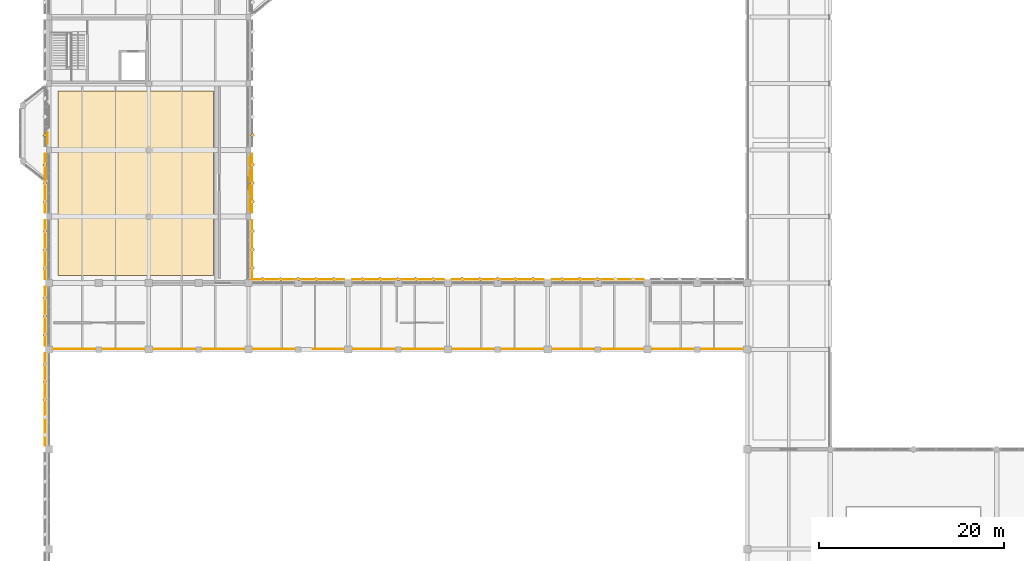
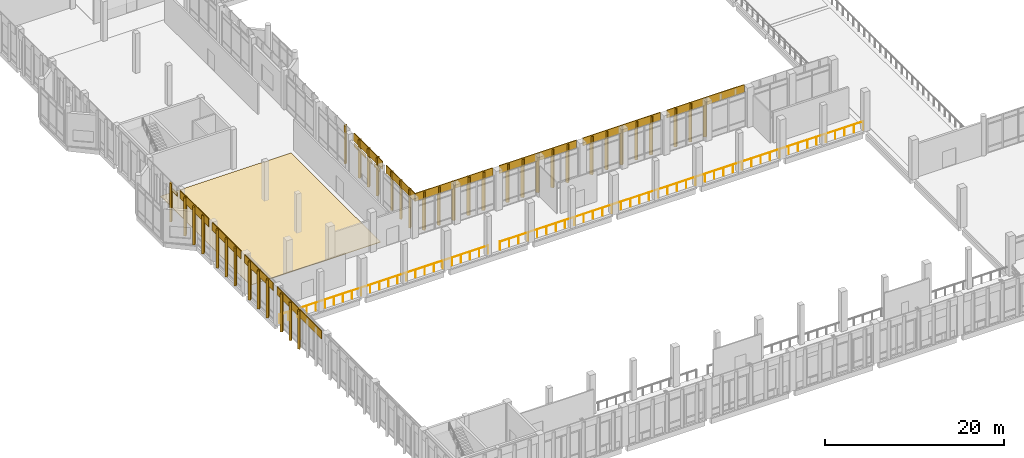
# One storey, part 166 of 180: 54 coverings, 2 railings.
"""IFC4 building model written with IfcOpenShell, lengths in metres."""

import ifcopenshell
import ifcopenshell.guid

model = None  # the IFC model being written
_history = None  # IfcOwnerHistory: only IFC2X3 demands one
_inside = {}  # id of a spatial element -> (the spatial element, [elements in it])
_under = {}  # id of a project, library or spatial element -> (it, [spatial elements below it])
_declared = {}  # id of a project -> (the project, [libraries it declares])
_typed = {}  # id of a type object -> (the type object, [elements of that type])
_made_of = {}  # id of a material, layer set ... -> (it, [elements and type objects made of it])


def new_model(schema):
    """Start an empty IFC model of exactly this schema.

    Asked for "IFC4X3", IfcOpenShell would pick the latest addendum, in which some entities
    have other attributes; the version numbers below select the first issue.
    IFC2X3 requires an IfcOwnerHistory on every rooted entity: one is made here for all.
    """
    global model, _history
    if schema == "IFC4X3":
        model = ifcopenshell.file(schema_version=(4, 3, 0, 0))
    else:
        model = ifcopenshell.file(schema=schema)
    _inside.clear()
    _under.clear()
    _declared.clear()
    _typed.clear()
    _made_of.clear()
    _history = None
    if model.schema == "IFC2X3":
        org = make("IfcOrganization", Name="unknown")
        user = make(
            "IfcPersonAndOrganization",
            ThePerson=make("IfcPerson", FamilyName="unknown"),
            TheOrganization=org,
        )
        app = make(
            "IfcApplication",
            ApplicationDeveloper=org,
            Version="unknown",
            ApplicationFullName="unknown",
            ApplicationIdentifier="unknown",
        )
        _history = make(
            "IfcOwnerHistory",
            OwningUser=user,
            OwningApplication=app,
            ChangeAction="ADDED",
            CreationDate=0,
        )
    return model


def make(cls, **values):
    """One entity of the class cls with the attributes given. An attribute that is None is left unset."""
    return model.create_entity(
        cls, **{name: value for name, value in values.items() if value is not None}
    )


def rooted(cls, **values):
    """An entity with a GlobalId (a new one), such as an element, a storey or a relation."""
    return make(cls, GlobalId=ifcopenshell.guid.new(), OwnerHistory=_history, **values)


def si_unit(unit_type, name, prefix=None):
    """IfcSIUnit, for example si_unit("LENGTHUNIT", "METRE", prefix="MILLI")."""
    return make("IfcSIUnit", UnitType=unit_type, Prefix=prefix, Name=name)


def assignment(units):
    """IfcUnitAssignment: the units of a project."""
    return None if units is None else make("IfcUnitAssignment", Units=units)


def point(xyz):
    """IfcCartesianPoint."""
    return None if xyz is None else make("IfcCartesianPoint", Coordinates=xyz)


def direction(xyz):
    """IfcDirection."""
    return None if xyz is None else make("IfcDirection", DirectionRatios=xyz)


def frame(location, z_axis=None, x_axis=None):
    """IfcAxis2Placement3D, a coordinate frame: its origin and axes. An axis left out is left unset."""
    return make(
        "IfcAxis2Placement3D",
        Location=point(location),
        Axis=direction(z_axis),
        RefDirection=direction(x_axis),
    )


def frame_2d(location, x_axis=None):
    """IfcAxis2Placement2D, a coordinate frame in the plane: its origin and x axis."""
    return make(
        "IfcAxis2Placement2D", Location=point(location), RefDirection=direction(x_axis)
    )


def origin():
    """The frame at (0, 0, 0) with its axes left unset."""
    return frame((0.0, 0.0, 0.0))


def origin_2d():
    """The frame at (0, 0) in the plane with its x axis left unset."""
    return frame_2d((0.0, 0.0))


def place(relative_to, where):
    """IfcLocalPlacement: puts the frame where relative to a parent placement (None: the world)."""
    return make(
        "IfcLocalPlacement", PlacementRelTo=relative_to, RelativePlacement=where
    )


def context(
    kind, dimensions, precision=None, world=None, true_north=None, identifier=None
):
    """IfcGeometricRepresentationContext, for example the 3D "Model" context."""
    return make(
        "IfcGeometricRepresentationContext",
        ContextIdentifier=identifier,
        ContextType=kind,
        CoordinateSpaceDimension=dimensions,
        Precision=precision,
        WorldCoordinateSystem=world,
        TrueNorth=true_north,
    )


def subcontext(parent, identifier, kind, view, scale=None):
    """IfcGeometricRepresentationSubContext, for example "Body" below "Model"."""
    return make(
        "IfcGeometricRepresentationSubContext",
        ContextIdentifier=identifier,
        ContextType=kind,
        ParentContext=parent,
        TargetScale=scale,
        TargetView=view,
    )


def project(units=None, contexts=None):
    """IfcProject with its units and contexts."""
    return rooted(
        "IfcProject",
        Name="project",
        RepresentationContexts=contexts,
        UnitsInContext=assignment(units),
    )


def spatial(cls, under=None, at=None, **own):
    """A site, building, storey or space (cls), placed at a placement, below another one or the project."""
    s = rooted(cls, ObjectPlacement=at, **own)
    if under is not None:
        _under.setdefault(under.id(), (under, []))[1].append(s)
    return s


def polyline(points):
    """IfcPolyline through the points."""
    return make("IfcPolyline", Points=[point(p) for p in points])


def profile(cls, at=None, kind="AREA", **sizes):
    """A parametric profile (cls). Its sizes go by their IFC names, for example OverallWidth=200.0."""
    return make(cls, ProfileType=kind, Position=at, **sizes)


def rectangle(**sizes):
    """IfcRectangleProfileDef."""
    return profile("IfcRectangleProfileDef", **sizes)


def circle(**sizes):
    """IfcCircleProfileDef."""
    return profile("IfcCircleProfileDef", **sizes)


def outline(outer, holes=None, kind="AREA"):
    """IfcArbitraryClosedProfileDef: a profile drawn as a closed curve; with holes, ...WithVoids."""
    if holes is None:
        return make("IfcArbitraryClosedProfileDef", ProfileType=kind, OuterCurve=outer)
    return make(
        "IfcArbitraryProfileDefWithVoids",
        ProfileType=kind,
        OuterCurve=outer,
        InnerCurves=holes,
    )


def extrude(swept, where, along, depth):
    """IfcExtrudedAreaSolid: the profile swept, set in the frame where, extruded along a direction by depth."""
    return make(
        "IfcExtrudedAreaSolid",
        SweptArea=swept,
        Position=where,
        ExtrudedDirection=direction(along),
        Depth=depth,
    )


def shape(context_of_items, identifier, shape_type, items):
    """IfcShapeRepresentation: the items that make up one representation, for example the "Body"."""
    return make(
        "IfcShapeRepresentation",
        ContextOfItems=context_of_items,
        RepresentationIdentifier=identifier,
        RepresentationType=shape_type,
        Items=items,
    )


def material(Name=None, Category=None):
    """IfcMaterial."""
    return make("IfcMaterial", Name=Name, Category=Category)


def layer(
    of_material, thickness, ventilated=None, Name=None, Category=None, Priority=None
):
    """IfcMaterialLayer: one layer of a wall or slab, of a material (None: an air gap)."""
    return make(
        "IfcMaterialLayer",
        Material=of_material,
        LayerThickness=thickness,
        IsVentilated=ventilated,
        Name=Name,
        Category=Category,
        Priority=Priority,
    )


def layer_set(layers, Name=None):
    """IfcMaterialLayerSet."""
    return make("IfcMaterialLayerSet", MaterialLayers=layers, LayerSetName=Name)


def made_of(thing, what):
    """Note that an element or type object is made of a material, layer set ...; save() writes the relation."""
    if what is not None:
        _made_of.setdefault(what.id(), (what, []))[1].append(thing)
    return thing


def type_object(cls, material=None, **own):
    """A type object (cls), such as IfcWallType, which elements share."""
    return made_of(rooted(cls, **own), material)


def element(
    cls,
    number,
    at=None,
    inside=None,
    cuts=None,
    type_object=None,
    material=None,
    context=None,
    identifier="Body",
    shape_type=None,
    held_by="IfcProductDefinitionShape",
    body=None,
    shapes=None,
    **own,
):
    """One element of the class cls, such as IfcWall. Its Tag is "e" and its number.

    at: its placement. inside: the storey or other place that contains it. cuts: it is an
    opening in that element (IfcRelVoidsElement). A single representation is given by context,
    identifier, shape_type and body (its items); several are given by shapes. held_by: the class
    of the entity that holds the representations. save() writes the other relations.
    """
    e = rooted(cls, Tag="e%d" % number, ObjectPlacement=at, **own)
    if body is not None:
        shapes = [shape(context, identifier, shape_type, body)]
    if shapes is not None:
        e.Representation = make(held_by, Representations=shapes)
    if inside is not None:
        _inside.setdefault(inside.id(), (inside, []))[1].append(e)
    if cuts is not None:
        rooted(
            "IfcRelVoidsElement", RelatingBuildingElement=cuts, RelatedOpeningElement=e
        )
    if type_object is not None:
        _typed.setdefault(type_object.id(), (type_object, []))[1].append(e)
    return made_of(e, material)


def aggregate(whole, parts):
    """IfcRelAggregates: a whole, such as a stair, and the parts it consists of."""
    return rooted("IfcRelAggregates", RelatingObject=whole, RelatedObjects=parts)


def save(model, path):
    """Write the relations noted so far, then the file.

    IfcRelAggregates (storeys below a building ...), IfcRelContainedInSpatialStructure (elements
    in a storey), IfcRelDefinesByType, IfcRelAssociatesMaterial and IfcRelDeclares: one each for
    every whole, place, type object, material and project.
    """
    for whole, parts in _under.values():
        aggregate(whole, parts)
    for where, things in _inside.values():
        rooted(
            "IfcRelContainedInSpatialStructure",
            RelatedElements=things,
            RelatingStructure=where,
        )
    for kind, things in _typed.values():
        rooted("IfcRelDefinesByType", RelatedObjects=things, RelatingType=kind)
    for what, things in _made_of.values():
        rooted("IfcRelAssociatesMaterial", RelatedObjects=things, RelatingMaterial=what)
    for by, libraries in _declared.values():
        rooted("IfcRelDeclares", RelatingContext=by, RelatedDefinitions=libraries)
    model.write(path)


model = new_model("IFC4")

# Units and contexts
model_context = context("Model", 3, precision=1e-05, world=origin(), true_north=direction((0.0, 1.0)))
body_context = subcontext(model_context, "Body", "Model", "MODEL_VIEW")
ifc_project = project(units=[si_unit("LENGTHUNIT", "METRE"), si_unit("AREAUNIT", "SQUARE_METRE"), si_unit("VOLUMEUNIT", "CUBIC_METRE"), si_unit("PLANEANGLEUNIT", "RADIAN"), si_unit("MASSUNIT", "GRAM", prefix="KILO")], contexts=[model_context])

# Site, building, storey
site_placement = place(None, origin())
site = spatial("IfcSite", under=ifc_project, at=site_placement, CompositionType="ELEMENT")
building_placement = place(site_placement, origin())
building = spatial("IfcBuilding", under=site, at=building_placement, Name="Lusvemor Sports Hall", CompositionType="ELEMENT")
storey_placement = place(building_placement, frame((0.0, 0.0, 5.39990234375)))
storey = spatial("IfcBuildingStorey", under=building, at=storey_placement, Name="L01", CompositionType="ELEMENT", Elevation=5.39990234375)

# Coverings
ifc_material_1 = material(Name="Emerald polychrome glazed ceramic cladding on Concrete C40/50 backing", Category="concrete")
ifc_layer_1 = layer(ifc_material_1, 0.0458984375)
ifc_layer_set_1 = layer_set([ifc_layer_1], Name="Emerald polychrome glazed ceramic cladding on Concrete C40/50 backing")
covering_type_1 = type_object("IfcCoveringType", Name="CLAD_WAVE_EMERALD", PredefinedType="CLADDING", material=ifc_layer_set_1)
for number, where, z_axis, x_axis, name in (
    (1, (-0.16552734375, 62.47509765625, 3.92529296875), (0.0, 0.0, 1.0), (1.0, 0.0, 0.0), "Art Nouveau Patterned Cladding PS-EW-L01-W-0-2-1"),
    (2, (21.765380859375, 55.27490234375, 3.92529296875), (0.0, 0.0, 1.0), (1.0, 0.0, 0.0), "Art Nouveau Patterned Cladding PS-EW-L01-E-4-1-1"),
    (3, (21.765380859375, 58.375, 3.92529296875), (0.0, 0.0, 1.0), (1.0, 0.0, 0.0), "Art Nouveau Patterned Cladding PS-EW-L01-E-4-1-3"),
):
    element("IfcCovering", number, at=place(storey_placement, frame(where, z_axis=z_axis, x_axis=x_axis)), inside=storey, type_object=covering_type_1, Name=name, PredefinedType="CLADDING", context=body_context, shape_type="SweptSolid", body=[
        extrude(rectangle(XDim=0.0458984375, YDim=1.27099609375, at=origin_2d()), origin(), (0.0, 0.0, 1.0), 0.510009765625),
    ])
for number, where, z_axis, x_axis, name in (
    (4, (-0.43994140625, 36.1201171875, 0.10009765625), (0.0, 0.0, 1.0), (0.707106781187, 0.707106781187, 0.0), "Patterned Diamond Cladding Rib 959"),
    (5, (-0.43994140625, 43.199951171875, 0.10009765625), (0.0, 0.0, 1.0), (0.707106781187, 0.707106781187, 0.0), "Patterned Diamond Cladding Rib 973"),
    (6, (-0.43994140625, 50.39990234375, 0.10009765625), (0.0, 0.0, 1.0), (0.707106781187, 0.707106781187, 0.0), "Patterned Diamond Cladding Rib 991"),
    (7, (-0.43994140625, 57.60009765625, 0.10009765625), (0.0, 0.0, 1.0), (0.707106781187, 0.707106781187, 0.0), "Patterned Diamond Cladding Rib 1007"),
    (8, (22.0400390625, 50.39990234375, 0.10009765625), (0.0, 0.0, 1.0), (0.707106781187, 0.707106781187, 0.0), "Patterned Diamond Cladding Rib 1393"),
    (9, (22.0400390625, 57.60009765625, 0.10009765625), (0.0, 0.0, 1.0), (0.707106781187, 0.707106781187, 0.0), "Patterned Diamond Cladding Rib 1405"),
):
    element("IfcCovering", number, at=place(storey_placement, frame(where, z_axis=z_axis, x_axis=x_axis)), inside=storey, type_object=covering_type_1, Name=name, PredefinedType="CLADDING", context=body_context, shape_type="SweptSolid", body=[
        extrude(rectangle(XDim=0.3798828125, YDim=0.280029296875, at=origin_2d()), origin(), (0.0, 0.0, 1.0), 5.199951171875),
    ])
for number, where, z_axis, x_axis, name in (
    (10, (25.080078125, 47.239990234375, 0.10009765625), (0.0, 0.0, 1.0), (0.707106781187, 0.707106781187, 0.0), "Patterned Diamond Cladding Rib 1486"),
    (11, (28.919921875, 47.239990234375, 0.10009765625), (0.0, 0.0, 1.0), (0.707106781187, 0.707106781187, 0.0), "Patterned Diamond Cladding Rib 1488"),
    (12, (35.8798828125, 47.239990234375, 0.10009765625), (0.0, 0.0, 1.0), (0.707106781187, 0.707106781187, 0.0), "Patterned Diamond Cladding Rib 1504"),
    (13, (39.719970703125, 47.239990234375, 0.10009765625), (0.0, 0.0, 1.0), (0.707106781187, 0.707106781187, 0.0), "Patterned Diamond Cladding Rib 1506"),
    (14, (46.679931640625, 47.239990234375, 0.10009765625), (0.0, 0.0, 1.0), (0.707106781187, 0.707106781187, 0.0), "Patterned Diamond Cladding Rib 1522"),
    (15, (50.52001953125, 47.239990234375, 0.10009765625), (0.0, 0.0, 1.0), (0.707106781187, 0.707106781187, 0.0), "Patterned Diamond Cladding Rib 1524"),
    (16, (57.47998046875, 47.239990234375, 0.10009765625), (0.0, 0.0, 1.0), (0.707106781187, 0.707106781187, 0.0), "Patterned Diamond Cladding Rib 1540"),
):
    element("IfcCovering", number, at=place(storey_placement, frame(where, z_axis=z_axis, x_axis=x_axis)), inside=storey, type_object=covering_type_1, Name=name, PredefinedType="CLADDING", context=body_context, shape_type="SweptSolid", body=[
        extrude(rectangle(XDim=0.280029296875, YDim=0.3798828125, at=origin_2d()), origin(), (0.0, 0.0, 1.0), 5.199951171875),
    ])
ifc_material_2 = material(Name="Warm terracotta Art Nouveau ceramic cladding on Concrete C40/50 backing", Category="masonry")
ifc_layer_2 = layer(ifc_material_2, 0.0380859375)
ifc_layer_set_2 = layer_set([ifc_layer_2], Name="Warm terracotta Art Nouveau ceramic cladding on Concrete C40/50 backing")
covering_type_2 = type_object("IfcCoveringType", Name="CLAD_WAVE_OCHRE", PredefinedType="CLADDING", material=ifc_layer_set_2)
for number, where, z_axis, x_axis, name in (
    (17, (21.761474609375, 56.824951171875, 3.92529296875), (0.0, 0.0, 1.0), (1.0, 0.0, 0.0), "Art Nouveau Patterned Cladding PS-EW-L01-E-4-1-2"),
    (18, (21.761474609375, 59.925048828125, 3.92529296875), (0.0, 0.0, 1.0), (1.0, 0.0, 0.0), "Art Nouveau Patterned Cladding PS-EW-L01-E-4-1-4"),
):
    element("IfcCovering", number, at=place(storey_placement, frame(where, z_axis=z_axis, x_axis=x_axis)), inside=storey, type_object=covering_type_2, Name=name, PredefinedType="CLADDING", context=body_context, shape_type="SweptSolid", body=[
        extrude(rectangle(XDim=0.0380859375, YDim=0.991943359375, at=origin_2d()), origin(), (0.0, 0.0, 1.0), 0.510009765625),
    ])
covering_1_placement = place(storey_placement, frame((-0.389892578125, 34.199951171875, 4.380126953125), z_axis=(0.0, 0.0, 1.0), x_axis=(1.0, 0.0, 0.0)))
element("IfcCovering", 19, at=covering_1_placement, inside=storey, type_object=covering_type_2, Name="Art Nouveau Spandrel Cornice 955", PredefinedType="CLADDING", context=body_context, shape_type="SweptSolid", body=[
    extrude(rectangle(XDim=0.090087890625, YDim=9.97998046875, at=origin_2d()), origin(), (0.0, 0.0, 1.0), 1.080078125),
])
for number, where, z_axis, x_axis, name in (
    (20, (-0.389892578125, 43.199951171875, 4.380126953125), (0.0, 0.0, 1.0), (1.0, 0.0, 0.0), "Art Nouveau Spandrel Cornice 971"),
    (21, (-0.389892578125, 50.39990234375, 4.380126953125), (0.0, 0.0, 1.0), (1.0, 0.0, 0.0), "Art Nouveau Spandrel Cornice 989"),
    (22, (-0.389892578125, 57.60009765625, 4.380126953125), (0.0, 0.0, 1.0), (1.0, 0.0, 0.0), "Art Nouveau Spandrel Cornice 1005"),
    (23, (21.989990234375, 50.39990234375, 4.380126953125), (0.0, 0.0, 1.0), (1.0, 0.0, 0.0), "Art Nouveau Spandrel Cornice 1391"),
    (24, (21.989990234375, 57.60009765625, 4.380126953125), (0.0, 0.0, 1.0), (1.0, 0.0, 0.0), "Art Nouveau Spandrel Cornice 1403"),
):
    element("IfcCovering", number, at=place(storey_placement, frame(where, z_axis=z_axis, x_axis=x_axis)), inside=storey, type_object=covering_type_2, Name=name, PredefinedType="CLADDING", context=body_context, shape_type="SweptSolid", body=[
        extrude(rectangle(XDim=0.090087890625, YDim=6.3798828125, at=origin_2d()), origin(), (0.0, 0.0, 1.0), 1.080078125),
    ])
for number, where, z_axis, x_axis, name in (
    (25, (27.0, 47.18994140625, 4.380126953125), (0.0, 0.0, 1.0), (1.0, 0.0, 0.0), "Art Nouveau Spandrel Cornice 1484"),
    (26, (37.800048828125, 47.18994140625, 4.380126953125), (0.0, 0.0, 1.0), (1.0, 0.0, 0.0), "Art Nouveau Spandrel Cornice 1502"),
    (27, (48.60009765625, 47.18994140625, 4.380126953125), (0.0, 0.0, 1.0), (1.0, 0.0, 0.0), "Art Nouveau Spandrel Cornice 1520"),
    (28, (59.39990234375, 47.18994140625, 4.380126953125), (0.0, 0.0, 1.0), (1.0, 0.0, 0.0), "Art Nouveau Spandrel Cornice 1538"),
):
    element("IfcCovering", number, at=place(storey_placement, frame(where, z_axis=z_axis, x_axis=x_axis)), inside=storey, type_object=covering_type_2, Name=name, PredefinedType="CLADDING", context=body_context, shape_type="SweptSolid", body=[
        extrude(rectangle(XDim=9.97998046875, YDim=0.090087890625, at=origin_2d()), origin(), (0.0, 0.0, 1.0), 1.080078125),
    ])
ifc_material_3 = material(Name="FIBA-grade sprung maple sports flooring")
ifc_layer_3 = layer(ifc_material_3, 0.06591796875)
ifc_layer_set_3 = layer_set([ifc_layer_3], Name="FIBA-grade sprung maple sports flooring")
covering_type_3 = type_object("IfcCoveringType", Name="COV_SPRUNG_MAPLE", PredefinedType="FLOORING", material=ifc_layer_set_3)
covering_2_placement = place(storey_placement, origin())
element("IfcCovering", 29, at=covering_2_placement, inside=storey, type_object=covering_type_3, Name="Sprung Maple Flooring COV-MAPLE-DANCE2", PredefinedType="FLOORING", context=body_context, shape_type="SweptSolid", body=[
    extrude(outline(polyline([(1.0, 47.60009765625), (17.800048828125, 47.60009765625), (17.800048828125, 67.60009765625), (1.0, 67.60009765625), (1.0, 47.60009765625)])), origin(), (0.0, 0.0, 1.0), 0.066162109375),
])
ifc_material_4 = material(Name="Warm terracotta Art Nouveau ceramic cladding on Concrete C40/50 backing", Category="masonry")
ifc_layer_4 = layer(ifc_material_4, 0.449951171875)
ifc_layer_set_4 = layer_set([ifc_layer_4], Name="Warm terracotta Art Nouveau ceramic cladding on Concrete C40/50 backing")
covering_type_4 = type_object("IfcCoveringType", Name="FIN_BRISE_CER_450", PredefinedType="MOLDING", material=ifc_layer_set_4)
for number, where, z_axis, x_axis, name in (
    (30, (-0.43994140625, 34.199951171875, 0.10009765625), (0.0, 0.0, 1.0), (0.707106781187, 0.707106781187, 0.0), "Patterned Diamond Cladding Rib 958"),
    (31, (-0.43994140625, 38.0400390625, 0.10009765625), (0.0, 0.0, 1.0), (0.707106781187, 0.707106781187, 0.0), "Patterned Diamond Cladding Rib 960"),
    (32, (-0.43994140625, 41.199951171875, 0.10009765625), (0.0, 0.0, 1.0), (0.707106781187, 0.707106781187, 0.0), "Patterned Diamond Cladding Rib 972"),
    (33, (-0.43994140625, 45.199951171875, 0.10009765625), (0.0, 0.0, 1.0), (0.707106781187, 0.707106781187, 0.0), "Patterned Diamond Cladding Rib 974"),
    (34, (-0.43994140625, 48.39990234375, 0.10009765625), (0.0, 0.0, 1.0), (0.707106781187, 0.707106781187, 0.0), "Patterned Diamond Cladding Rib 990"),
    (35, (-0.43994140625, 52.39990234375, 0.10009765625), (0.0, 0.0, 1.0), (0.707106781187, 0.707106781187, 0.0), "Patterned Diamond Cladding Rib 992"),
    (36, (-0.43994140625, 55.60009765625, 0.10009765625), (0.0, 0.0, 1.0), (0.707106781187, 0.707106781187, 0.0), "Patterned Diamond Cladding Rib 1006"),
    (37, (-0.43994140625, 59.60009765625, 0.10009765625), (0.0, 0.0, 1.0), (0.707106781187, 0.707106781187, 0.0), "Patterned Diamond Cladding Rib 1008"),
    (38, (-0.43994140625, 62.800048828125, 0.10009765625), (0.0, 0.0, 1.0), (0.707106781187, 0.707106781187, 0.0), "Patterned Diamond Cladding Rib 1022"),
    (39, (22.0400390625, 48.39990234375, 0.10009765625), (0.0, 0.0, 1.0), (0.707106781187, 0.707106781187, 0.0), "Patterned Diamond Cladding Rib 1392"),
    (40, (22.0400390625, 52.39990234375, 0.10009765625), (0.0, 0.0, 1.0), (0.707106781187, 0.707106781187, 0.0), "Patterned Diamond Cladding Rib 1394"),
    (41, (22.0400390625, 55.60009765625, 0.10009765625), (0.0, 0.0, 1.0), (0.707106781187, 0.707106781187, 0.0), "Patterned Diamond Cladding Rib 1404"),
    (42, (22.0400390625, 59.60009765625, 0.10009765625), (0.0, 0.0, 1.0), (0.707106781187, 0.707106781187, 0.0), "Patterned Diamond Cladding Rib 1406"),
    (43, (22.0400390625, 62.800048828125, 0.10009765625), (0.0, 0.0, 1.0), (0.707106781187, 0.707106781187, 0.0), "Patterned Diamond Cladding Rib 1416"),
):
    element("IfcCovering", number, at=place(storey_placement, frame(where, z_axis=z_axis, x_axis=x_axis)), inside=storey, type_object=covering_type_4, Name=name, PredefinedType="MOLDING", context=body_context, shape_type="SweptSolid", body=[
        extrude(rectangle(XDim=0.3798828125, YDim=0.280029296875, at=origin_2d()), origin(), (0.0, 0.0, 1.0), 5.199951171875),
    ])
for number, where, z_axis, x_axis, name in (
    (44, (23.159912109375, 47.239990234375, 0.10009765625), (0.0, 0.0, 1.0), (0.707106781187, 0.707106781187, 0.0), "Patterned Diamond Cladding Rib 1485"),
    (45, (27.0, 47.239990234375, 0.10009765625), (0.0, 0.0, 1.0), (0.707106781187, 0.707106781187, 0.0), "Patterned Diamond Cladding Rib 1487"),
    (46, (30.840087890625, 47.239990234375, 0.10009765625), (0.0, 0.0, 1.0), (0.707106781187, 0.707106781187, 0.0), "Patterned Diamond Cladding Rib 1489"),
    (47, (33.9599609375, 47.239990234375, 0.10009765625), (0.0, 0.0, 1.0), (0.707106781187, 0.707106781187, 0.0), "Patterned Diamond Cladding Rib 1503"),
    (48, (37.800048828125, 47.239990234375, 0.10009765625), (0.0, 0.0, 1.0), (0.707106781187, 0.707106781187, 0.0), "Patterned Diamond Cladding Rib 1505"),
    (49, (41.639892578125, 47.239990234375, 0.10009765625), (0.0, 0.0, 1.0), (0.707106781187, 0.707106781187, 0.0), "Patterned Diamond Cladding Rib 1507"),
    (50, (44.760009765625, 47.239990234375, 0.10009765625), (0.0, 0.0, 1.0), (0.707106781187, 0.707106781187, 0.0), "Patterned Diamond Cladding Rib 1521"),
    (51, (48.60009765625, 47.239990234375, 0.10009765625), (0.0, 0.0, 1.0), (0.707106781187, 0.707106781187, 0.0), "Patterned Diamond Cladding Rib 1523"),
    (52, (52.43994140625, 47.239990234375, 0.10009765625), (0.0, 0.0, 1.0), (0.707106781187, 0.707106781187, 0.0), "Patterned Diamond Cladding Rib 1525"),
    (53, (55.56005859375, 47.239990234375, 0.10009765625), (0.0, 0.0, 1.0), (0.707106781187, 0.707106781187, 0.0), "Patterned Diamond Cladding Rib 1539"),
    (54, (59.39990234375, 47.239990234375, 0.10009765625), (0.0, 0.0, 1.0), (0.707106781187, 0.707106781187, 0.0), "Patterned Diamond Cladding Rib 1541"),
):
    element("IfcCovering", number, at=place(storey_placement, frame(where, z_axis=z_axis, x_axis=x_axis)), inside=storey, type_object=covering_type_4, Name=name, PredefinedType="MOLDING", context=body_context, shape_type="SweptSolid", body=[
        extrude(rectangle(XDim=0.280029296875, YDim=0.3798828125, at=origin_2d()), origin(), (0.0, 0.0, 1.0), 5.199951171875),
    ])

# Railings
ifc_material_5 = material(Name="Bronze-finished wrought-steel Art Nouveau balustrade", Category="steel")
railing_type = type_object("IfcRailingType", Name="RAIL_ATRIUM_BAL_115", PredefinedType="BALUSTRADE", material=ifc_material_5)
railing_1_placement = place(storey_placement, frame((0.199951171875, 39.679931640625, 0.0)))
element("IfcRailing", 55, at=railing_1_placement, inside=storey, type_object=railing_type, Name="Court 1 North Gallery Balustrade W", PredefinedType="BALUSTRADE", context=body_context, shape_type="SweptSolid", body=[
    extrude(circle(Radius=0.02392578125, at=origin_2d()), frame((0.0, 0.0, 1.1259765625), z_axis=(1.0, 0.0, 0.0), x_axis=(0.0, 1.0, 0.0)), (0.0, 0.0, 1.0), 26.900146484375),
    extrude(circle(Radius=0.02099609375, at=origin_2d()), origin(), (0.0, 0.0, 1.0), 1.101806640625),
    extrude(circle(Radius=0.02099609375, at=origin_2d()), frame((1.169677734375, 0.0, 0.0)), (0.0, 0.0, 1.0), 1.101806640625),
    extrude(circle(Radius=0.02099609375, at=origin_2d()), frame((2.339111328125, 0.0, 0.0)), (0.0, 0.0, 1.0), 1.101806640625),
    extrude(circle(Radius=0.02099609375, at=origin_2d()), frame((3.5087890625, 0.0, 0.0)), (0.0, 0.0, 1.0), 1.101806640625),
    extrude(circle(Radius=0.02099609375, at=origin_2d()), frame((4.67822265625, 0.0, 0.0)), (0.0, 0.0, 1.0), 1.101806640625),
    extrude(circle(Radius=0.02099609375, at=origin_2d()), frame((5.847900390625, 0.0, 0.0)), (0.0, 0.0, 1.0), 1.101806640625),
    extrude(circle(Radius=0.02099609375, at=origin_2d()), frame((7.017333984375, 0.0, 0.0)), (0.0, 0.0, 1.0), 1.101806640625),
    extrude(circle(Radius=0.02099609375, at=origin_2d()), frame((8.18701171875, 0.0, 0.0)), (0.0, 0.0, 1.0), 1.101806640625),
    extrude(circle(Radius=0.02099609375, at=origin_2d()), frame((9.356689453125, 0.0, 0.0)), (0.0, 0.0, 1.0), 1.101806640625),
    extrude(circle(Radius=0.02099609375, at=origin_2d()), frame((10.526123046875, 0.0, 0.0)), (0.0, 0.0, 1.0), 1.101806640625),
    extrude(circle(Radius=0.02099609375, at=origin_2d()), frame((11.69580078125, 0.0, 0.0)), (0.0, 0.0, 1.0), 1.101806640625),
    extrude(circle(Radius=0.02099609375, at=origin_2d()), frame((12.865234375, 0.0, 0.0)), (0.0, 0.0, 1.0), 1.101806640625),
    extrude(circle(Radius=0.02099609375, at=origin_2d()), frame((14.034912109375, 0.0, 0.0)), (0.0, 0.0, 1.0), 1.101806640625),
    extrude(circle(Radius=0.02099609375, at=origin_2d()), frame((15.204345703125, 0.0, 0.0)), (0.0, 0.0, 1.0), 1.101806640625),
    extrude(circle(Radius=0.02099609375, at=origin_2d()), frame((16.3740234375, 0.0, 0.0)), (0.0, 0.0, 1.0), 1.101806640625),
    extrude(circle(Radius=0.02099609375, at=origin_2d()), frame((17.54345703125, 0.0, 0.0)), (0.0, 0.0, 1.0), 1.101806640625),
    extrude(circle(Radius=0.02099609375, at=origin_2d()), frame((18.713134765625, 0.0, 0.0)), (0.0, 0.0, 1.0), 1.101806640625),
    extrude(circle(Radius=0.02099609375, at=origin_2d()), frame((19.8828125, 0.0, 0.0)), (0.0, 0.0, 1.0), 1.101806640625),
    extrude(circle(Radius=0.02099609375, at=origin_2d()), frame((21.05224609375, 0.0, 0.0)), (0.0, 0.0, 1.0), 1.101806640625),
    extrude(circle(Radius=0.02099609375, at=origin_2d()), frame((22.221923828125, 0.0, 0.0)), (0.0, 0.0, 1.0), 1.101806640625),
    extrude(circle(Radius=0.02099609375, at=origin_2d()), frame((23.391357421875, 0.0, 0.0)), (0.0, 0.0, 1.0), 1.101806640625),
    extrude(circle(Radius=0.02099609375, at=origin_2d()), frame((24.56103515625, 0.0, 0.0)), (0.0, 0.0, 1.0), 1.101806640625),
    extrude(circle(Radius=0.02099609375, at=origin_2d()), frame((25.73046875, 0.0, 0.0)), (0.0, 0.0, 1.0), 1.101806640625),
    extrude(circle(Radius=0.02099609375, at=origin_2d()), frame((26.900146484375, 0.0, 0.0)), (0.0, 0.0, 1.0), 1.101806640625),
])
railing_2_placement = place(storey_placement, frame((28.60009765625, 39.679931640625, 0.0)))
element("IfcRailing", 56, at=railing_2_placement, inside=storey, type_object=railing_type, Name="Court 1 North Gallery Balustrade E", PredefinedType="BALUSTRADE", context=body_context, shape_type="SweptSolid", body=[
    extrude(circle(Radius=0.02392578125, at=origin_2d()), frame((0.0, 0.0, 1.1259765625), z_axis=(1.0, 0.0, 0.0), x_axis=(0.0, 1.0, 0.0)), (0.0, 0.0, 1.0), 46.7998046875),
    extrude(circle(Radius=0.02099609375, at=origin_2d()), origin(), (0.0, 0.0, 1.0), 1.101806640625),
    extrude(circle(Radius=0.02099609375, at=origin_2d()), frame((1.199951171875, 0.0, 0.0)), (0.0, 0.0, 1.0), 1.101806640625),
    extrude(circle(Radius=0.02099609375, at=origin_2d()), frame((2.39990234375, 0.0, 0.0)), (0.0, 0.0, 1.0), 1.101806640625),
    extrude(circle(Radius=0.02099609375, at=origin_2d()), frame((3.60009765625, 0.0, 0.0)), (0.0, 0.0, 1.0), 1.101806640625),
    extrude(circle(Radius=0.02099609375, at=origin_2d()), frame((4.800048828125, 0.0, 0.0)), (0.0, 0.0, 1.0), 1.101806640625),
    extrude(circle(Radius=0.02099609375, at=origin_2d()), frame((6.0, 0.0, 0.0)), (0.0, 0.0, 1.0), 1.101806640625),
    extrude(circle(Radius=0.02099609375, at=origin_2d()), frame((7.199951171875, 0.0, 0.0)), (0.0, 0.0, 1.0), 1.101806640625),
    extrude(circle(Radius=0.02099609375, at=origin_2d()), frame((8.39990234375, 0.0, 0.0)), (0.0, 0.0, 1.0), 1.101806640625),
    extrude(circle(Radius=0.02099609375, at=origin_2d()), frame((9.599853515625, 0.0, 0.0)), (0.0, 0.0, 1.0), 1.101806640625),
    extrude(circle(Radius=0.02099609375, at=origin_2d()), frame((10.800048828125, 0.0, 0.0)), (0.0, 0.0, 1.0), 1.101806640625),
    extrude(circle(Radius=0.02099609375, at=origin_2d()), frame((12.0, 0.0, 0.0)), (0.0, 0.0, 1.0), 1.101806640625),
    extrude(circle(Radius=0.02099609375, at=origin_2d()), frame((13.199951171875, 0.0, 0.0)), (0.0, 0.0, 1.0), 1.101806640625),
    extrude(circle(Radius=0.02099609375, at=origin_2d()), frame((14.39990234375, 0.0, 0.0)), (0.0, 0.0, 1.0), 1.101806640625),
    extrude(circle(Radius=0.02099609375, at=origin_2d()), frame((15.599853515625, 0.0, 0.0)), (0.0, 0.0, 1.0), 1.101806640625),
    extrude(circle(Radius=0.02099609375, at=origin_2d()), frame((16.800048828125, 0.0, 0.0)), (0.0, 0.0, 1.0), 1.101806640625),
    extrude(circle(Radius=0.02099609375, at=origin_2d()), frame((18.0, 0.0, 0.0)), (0.0, 0.0, 1.0), 1.101806640625),
    extrude(circle(Radius=0.02099609375, at=origin_2d()), frame((19.199951171875, 0.0, 0.0)), (0.0, 0.0, 1.0), 1.101806640625),
    extrude(circle(Radius=0.02099609375, at=origin_2d()), frame((20.39990234375, 0.0, 0.0)), (0.0, 0.0, 1.0), 1.101806640625),
    extrude(circle(Radius=0.02099609375, at=origin_2d()), frame((21.599853515625, 0.0, 0.0)), (0.0, 0.0, 1.0), 1.101806640625),
    extrude(circle(Radius=0.02099609375, at=origin_2d()), frame((22.7998046875, 0.0, 0.0)), (0.0, 0.0, 1.0), 1.101806640625),
    extrude(circle(Radius=0.02099609375, at=origin_2d()), frame((24.0, 0.0, 0.0)), (0.0, 0.0, 1.0), 1.101806640625),
    extrude(circle(Radius=0.02099609375, at=origin_2d()), frame((25.199951171875, 0.0, 0.0)), (0.0, 0.0, 1.0), 1.101806640625),
    extrude(circle(Radius=0.02099609375, at=origin_2d()), frame((26.39990234375, 0.0, 0.0)), (0.0, 0.0, 1.0), 1.101806640625),
    extrude(circle(Radius=0.02099609375, at=origin_2d()), frame((27.599853515625, 0.0, 0.0)), (0.0, 0.0, 1.0), 1.101806640625),
    extrude(circle(Radius=0.02099609375, at=origin_2d()), frame((28.7998046875, 0.0, 0.0)), (0.0, 0.0, 1.0), 1.101806640625),
    extrude(circle(Radius=0.02099609375, at=origin_2d()), frame((29.999755859375, 0.0, 0.0)), (0.0, 0.0, 1.0), 1.101806640625),
    extrude(circle(Radius=0.02099609375, at=origin_2d()), frame((31.199951171875, 0.0, 0.0)), (0.0, 0.0, 1.0), 1.101806640625),
    extrude(circle(Radius=0.02099609375, at=origin_2d()), frame((32.39990234375, 0.0, 0.0)), (0.0, 0.0, 1.0), 1.101806640625),
    extrude(circle(Radius=0.02099609375, at=origin_2d()), frame((33.599853515625, 0.0, 0.0)), (0.0, 0.0, 1.0), 1.101806640625),
    extrude(circle(Radius=0.02099609375, at=origin_2d()), frame((34.7998046875, 0.0, 0.0)), (0.0, 0.0, 1.0), 1.101806640625),
    extrude(circle(Radius=0.02099609375, at=origin_2d()), frame((35.999755859375, 0.0, 0.0)), (0.0, 0.0, 1.0), 1.101806640625),
    extrude(circle(Radius=0.02099609375, at=origin_2d()), frame((37.199951171875, 0.0, 0.0)), (0.0, 0.0, 1.0), 1.101806640625),
    extrude(circle(Radius=0.02099609375, at=origin_2d()), frame((38.39990234375, 0.0, 0.0)), (0.0, 0.0, 1.0), 1.101806640625),
    extrude(circle(Radius=0.02099609375, at=origin_2d()), frame((39.599853515625, 0.0, 0.0)), (0.0, 0.0, 1.0), 1.101806640625),
    extrude(circle(Radius=0.02099609375, at=origin_2d()), frame((40.7998046875, 0.0, 0.0)), (0.0, 0.0, 1.0), 1.101806640625),
    extrude(circle(Radius=0.02099609375, at=origin_2d()), frame((41.999755859375, 0.0, 0.0)), (0.0, 0.0, 1.0), 1.101806640625),
    extrude(circle(Radius=0.02099609375, at=origin_2d()), frame((43.19970703125, 0.0, 0.0)), (0.0, 0.0, 1.0), 1.101806640625),
    extrude(circle(Radius=0.02099609375, at=origin_2d()), frame((44.39990234375, 0.0, 0.0)), (0.0, 0.0, 1.0), 1.101806640625),
    extrude(circle(Radius=0.02099609375, at=origin_2d()), frame((45.599853515625, 0.0, 0.0)), (0.0, 0.0, 1.0), 1.101806640625),
    extrude(circle(Radius=0.02099609375, at=origin_2d()), frame((46.7998046875, 0.0, 0.0)), (0.0, 0.0, 1.0), 1.101806640625),
])

save(model, "model.ifc")
